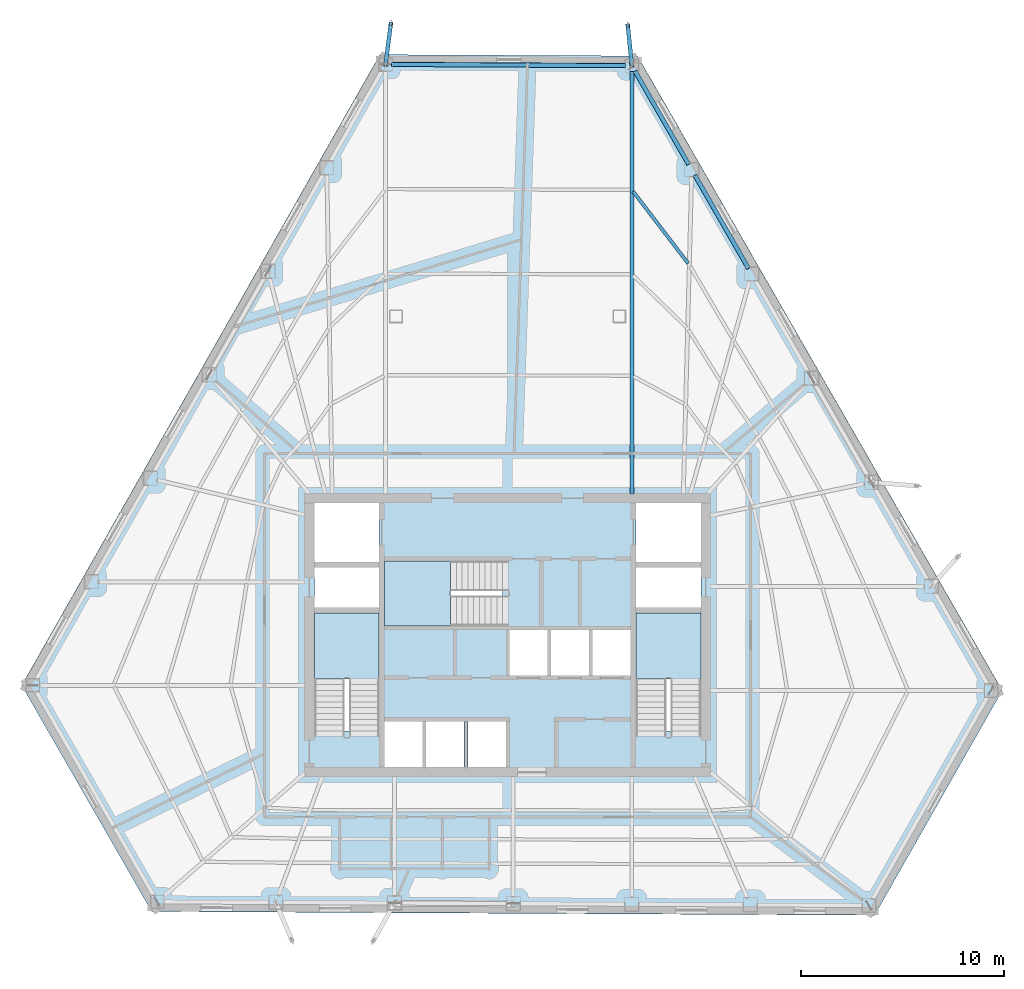
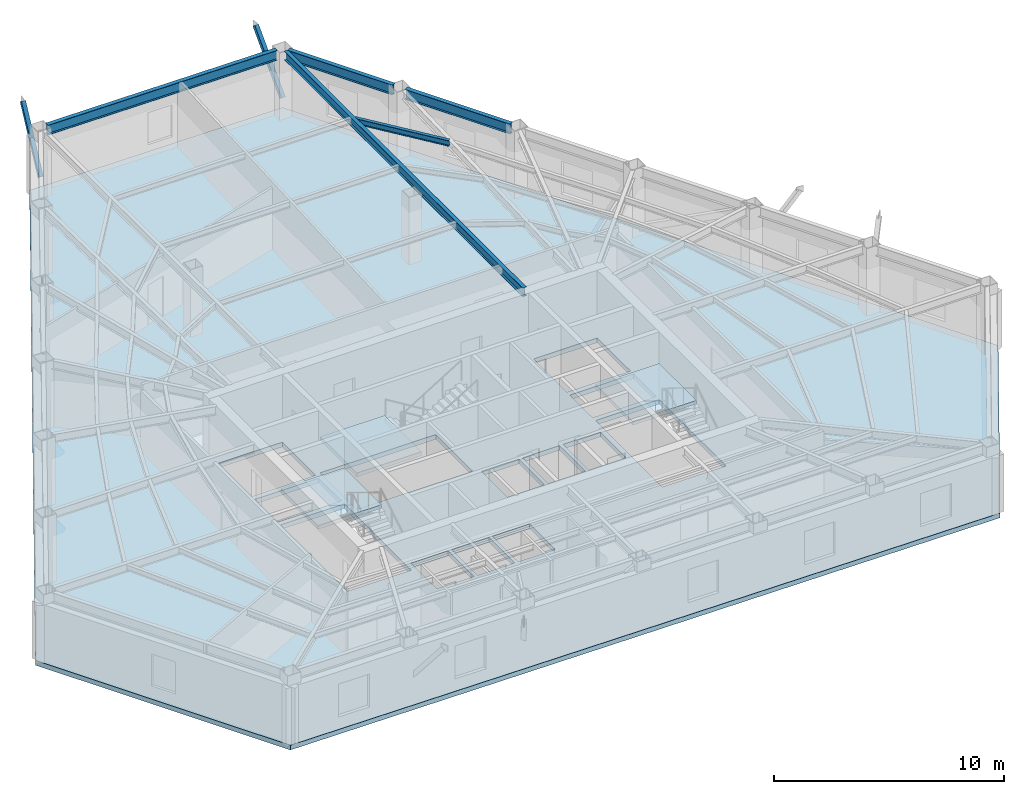
# One storey, part 3 of 13: 5 beams, 4 slabs, 2 members, 3 elements without a shape of their own.
"""IFC4 building model written with IfcOpenShell, lengths in metres."""

from ifc_helpers import new_model, si_unit, direction, frame, origin, origin_2d, place, context, subcontext, project, spatial, polyline, hollow_rectangle, i_section, outline, extrude, material, layer, layer_set, material_profile, profile_set, type_object, element, aggregate, save


model = new_model("IFC4")

# Units and contexts
model_context = context("Model", 3, precision=1e-05, world=origin(), true_north=direction((0.0, 1.0)))
body_context = subcontext(model_context, "Body", "Model", "MODEL_VIEW")
ifc_project = project(units=[si_unit("LENGTHUNIT", "METRE"), si_unit("AREAUNIT", "SQUARE_METRE"), si_unit("VOLUMEUNIT", "CUBIC_METRE"), si_unit("PLANEANGLEUNIT", "RADIAN"), si_unit("MASSUNIT", "GRAM", prefix="KILO")], contexts=[model_context])

# Site, building, storey
site_placement = place(None, origin())
site = spatial("IfcSite", under=ifc_project, at=site_placement, CompositionType="ELEMENT")
building_placement = place(site_placement, origin())
building = spatial("IfcBuilding", under=site, at=building_placement, Name="Kavelnor Concourse Tower", CompositionType="ELEMENT")
storey_placement = place(building_placement, frame((0.0, 0.0, 108.60009765625)))
storey = spatial("IfcBuildingStorey", under=building, at=storey_placement, Name="L27", CompositionType="ELEMENT", Elevation=108.60009765625)

# Beams
ifc_material_1 = material(Name="Steel Grade 350", Category="steel")
ifc_material_profile_1 = material_profile(ifc_material_1, i_section(OverallWidth=0.166015625, OverallDepth=0.306884765625, WebThickness=0.006591796875, FlangeThickness=0.01171875, at=origin_2d()), Name="310UB46")
ifc_profile_set_1 = profile_set([ifc_material_profile_1], Name="Steel Grade 350")
beam_type_1 = type_object("IfcBeamType", Name="BM-JOIST-310", PredefinedType="JOIST", material=ifc_profile_set_1)
beam_1_placement = place(storey_placement, frame((46.89501953125, 34.401123046875, 3.4462890625), z_axis=(-0.607764194886, 0.794117550124, 0.0), x_axis=(-0.794117550124, -0.607764194886, 0.0)))
element("IfcBeam", 1, at=beam_1_placement, inside=storey, type_object=beam_type_1, Name="L27 Secondary Composite Joist 14-3", PredefinedType="JOIST", context=body_context, shape_type="SweptSolid", body=[
    extrude(i_section(OverallWidth=0.166015625, OverallDepth=0.306884765625, WebThickness=0.006591796875, FlangeThickness=0.01171875, at=origin_2d()), origin(), (0.0, 0.0, 1.0), 4.471435546875),
])
ifc_material_profile_2 = material_profile(ifc_material_1, i_section(OverallWidth=0.18994140625, OverallDepth=0.4541015625, WebThickness=0.008544921875, FlangeThickness=0.0126953125, at=origin_2d()), Name="460UB67")
ifc_profile_set_2 = profile_set([ifc_material_profile_2], Name="Steel Grade 350")
beam_type_2 = type_object("IfcBeamType", Name="BM-PRIMARY-460", PredefinedType="BEAM", material=ifc_profile_set_2)
beam_2_placement = place(storey_placement, frame((44.123291015625, 23.06005859375, 3.372802734375), z_axis=(0.0, 1.0, 0.0), x_axis=(-1.0, 0.0, 0.0)))
element("IfcBeam", 2, at=beam_2_placement, inside=storey, type_object=beam_type_2, Name="L27 Primary Floor Girder F2-B6", PredefinedType="BEAM", context=body_context, shape_type="SweptSolid", body=[
    extrude(i_section(OverallWidth=0.18994140625, OverallDepth=0.4541015625, WebThickness=0.008544921875, FlangeThickness=0.0126953125, at=origin_2d()), origin(), (0.0, 0.0, 1.0), 20.781494140625),
])
ifc_material_profile_3 = material_profile(ifc_material_1, i_section(OverallWidth=0.208984375, OverallDepth=0.532958984375, WebThickness=0.01025390625, FlangeThickness=0.015625, at=origin_2d()), Name="530UB92")
ifc_profile_set_3 = profile_set([ifc_material_profile_3], Name="Steel Grade 350")
beam_type_3 = type_object("IfcBeamType", Name="BM-SPANDREL-Z2", PredefinedType="SPANDREL", material=ifc_profile_set_3)
beam_3_placement = place(storey_placement, frame((43.818359375, 44.14306640625, 3.33349609375), z_axis=(-0.99998652642, 0.005191047948, 0.0), x_axis=(-0.005191047948, -0.99998652642, 0.0)))
element("IfcBeam", 3, at=beam_3_placement, inside=storey, type_object=beam_type_3, Name="L27 Chamfer Facet Spandrel Beam C0", PredefinedType="SPANDREL", context=body_context, shape_type="SweptSolid", body=[
    extrude(i_section(OverallWidth=0.208984375, OverallDepth=0.532958984375, WebThickness=0.01025390625, FlangeThickness=0.015625, at=origin_2d()), origin(), (0.0, 0.0, 1.0), 11.522705078125),
])
for number, where, z_axis, x_axis, name in (
    (4, (49.8671875, 34.149658203125, 3.33349609375), (-0.498387254264, 0.866954522906, 0.0), (-0.866954522906, -0.498387254264, 0.0), "L27 Perimeter Tube Spandrel Beam F2-B4"),
    (5, (46.919189453125, 39.27783203125, 3.33349609375), (-0.498352664623, 0.866974406579, 0.0), (-0.866974406579, -0.498352664623, 0.0), "L27 Perimeter Tube Spandrel Beam F2-B5"),
):
    element("IfcBeam", number, at=place(storey_placement, frame(where, z_axis=z_axis, x_axis=x_axis)), inside=storey, type_object=beam_type_3, Name=name, PredefinedType="SPANDREL", context=body_context, shape_type="SweptSolid", body=[
        extrude(i_section(OverallWidth=0.208984375, OverallDepth=0.532958984375, WebThickness=0.01025390625, FlangeThickness=0.015625, at=origin_2d()), origin(), (0.0, 0.0, 1.0), 5.30517578125),
    ])

# Members
ifc_material_profile_4 = material_profile(ifc_material_1, hollow_rectangle(XDim=0.199951171875, YDim=0.199951171875, WallThickness=0.011962890625, at=origin_2d()), Name="SHS 200x200x12")
ifc_profile_set_4 = profile_set([ifc_material_profile_4], Name="Steel Grade 350")
member_type = type_object("IfcMemberType", Name="MBR-TERR-STRUT-200", PredefinedType="STRUT", material=ifc_profile_set_4)
member_1_placement = place(storey_placement, frame((44.123291015625, 44.1416015625, 0.89990234375), z_axis=(-0.060344642962, 0.586503787927, 0.807695382439), x_axis=(-0.994748609527, -0.102348443291, 0.0)))
element("IfcMember", 6, at=member_1_placement, inside=storey, type_object=member_type, Name="L27 Spiral Terrace Raking Knee Strut C0-A", PredefinedType="STRUT", context=body_context, shape_type="SweptSolid", body=[
    extrude(hollow_rectangle(XDim=0.199951171875, YDim=0.199951171875, WallThickness=0.011962890625, at=origin_2d()), origin(), (0.0, 0.0, 1.0), 3.38623046875),
])
member_2_placement = place(storey_placement, frame((31.99072265625, 44.204345703125, 0.89990234375), z_axis=(0.076755267385, 0.589127192606, 0.804386586077), x_axis=(-0.991619270263, 0.129194515529, 0.0)))
element("IfcMember", 7, at=member_2_placement, inside=storey, type_object=member_type, Name="L27 Spiral Terrace Raking Knee Strut C0-B", PredefinedType="STRUT", context=body_context, shape_type="SweptSolid", body=[
    extrude(hollow_rectangle(XDim=0.199951171875, YDim=0.199951171875, WallThickness=0.011962890625, at=origin_2d()), origin(), (0.0, 0.0, 1.0), 3.400146484375),
])

# Stair, slab
ifc_material_2 = material(Name="Concrete C40/50", Category="concrete")
stair_type = type_object("IfcStairType", Name="STR-CORE-1500", PredefinedType="HALF_TURN_STAIR", material=ifc_material_2)
stair_1_placement = place(storey_placement, origin())
stair_1 = element("IfcStair", 8, at=stair_1_placement, inside=storey, type_object=stair_type, Name="L27 ST1", PredefinedType="HALF_TURN_STAIR")
ifc_layer_1 = layer(ifc_material_2, 0.199951171875, Name="Concrete C40/50")
ifc_layer_set_1 = layer_set([ifc_layer_1], Name="Concrete C40/50")
slab_type_1 = type_object("IfcSlabType", Name="SLB-LANDING-200", PredefinedType="LANDING", material=ifc_layer_set_1)
slab_1_placement = place(storey_placement, frame((0.0, 0.0, 1.724853515625)))
slab_1 = element("IfcSlab", 9, at=slab_1_placement, type_object=slab_type_1, Name="ST1 landing 1", PredefinedType="LANDING", context=body_context, shape_type="SweptSolid", body=[
    extrude(outline(polyline([(31.679931640625, 13.949951171875), (31.679931640625, 17.199951171875), (28.47998046875, 17.199951171875), (28.47998046875, 13.949951171875), (31.679931640625, 13.949951171875)])), origin(), (0.0, 0.0, 1.0), 0.199951171875),
])
aggregate(stair_1, [slab_1])

stair_2_placement = place(storey_placement, origin())
stair_2 = element("IfcStair", 10, at=stair_2_placement, inside=storey, type_object=stair_type, Name="L27 ST2", PredefinedType="HALF_TURN_STAIR")
slab_2_placement = place(storey_placement, frame((0.0, 0.0, 1.724853515625)))
slab_2 = element("IfcSlab", 11, at=slab_2_placement, type_object=slab_type_1, Name="ST2 landing 1", PredefinedType="LANDING", context=body_context, shape_type="SweptSolid", body=[
    extrude(outline(polyline([(47.52001953125, 13.949951171875), (47.52001953125, 17.199951171875), (44.320068359375, 17.199951171875), (44.320068359375, 13.949951171875), (47.52001953125, 13.949951171875)])), origin(), (0.0, 0.0, 1.0), 0.199951171875),
])
aggregate(stair_2, [slab_2])

stair_3_placement = place(storey_placement, origin())
stair_3 = element("IfcStair", 12, at=stair_3_placement, inside=storey, type_object=stair_type, Name="L27 ST3", PredefinedType="HALF_TURN_STAIR")
slab_3_placement = place(storey_placement, frame((0.0, 0.0, 1.724853515625)))
slab_3 = element("IfcSlab", 13, at=slab_3_placement, type_object=slab_type_1, Name="ST3 landing 1", PredefinedType="LANDING", context=body_context, shape_type="SweptSolid", body=[
    extrude(outline(polyline([(35.18994140625, 19.760009765625), (31.93994140625, 19.760009765625), (31.93994140625, 16.56005859375), (35.18994140625, 16.56005859375), (35.18994140625, 19.760009765625)])), origin(), (0.0, 0.0, 1.0), 0.199951171875),
])
aggregate(stair_3, [slab_3])

# Slab
ifc_layer_2 = layer(ifc_material_2, 0.25, Name="Concrete C40/50")
ifc_layer_set_2 = layer_set([ifc_layer_2], Name="Concrete C40/50")
slab_type_2 = type_object("IfcSlabType", Name="SLB-OFFICE-250", PredefinedType="FLOOR", material=ifc_layer_set_2)
slab_4_placement = place(storey_placement, frame((0.0, 0.0, -0.25)))
element("IfcSlab", 14, at=slab_4_placement, inside=storey, type_object=slab_type_2, Name="L27 Composite Structural Floor Slab", PredefinedType="FLOOR", context=body_context, shape_type="SweptSolid", body=[
    extrude(outline(polyline([(44.40185546875, 44.6201171875), (31.712158203125, 44.685791015625), (14.07080078125, 13.625), (20.47265625, 2.48828125), (56.07568359375, 2.303466796875), (62.363525390625, 13.374267578125), (44.40185546875, 44.6201171875)]), holes=[polyline([(28.47998046875, 11.3798828125), (31.679931640625, 11.3798828125), (31.679931640625, 17.199951171875), (28.47998046875, 17.199951171875), (28.47998046875, 11.3798828125)]), polyline([(44.320068359375, 11.3798828125), (47.52001953125, 11.3798828125), (47.52001953125, 17.199951171875), (44.320068359375, 17.199951171875), (44.320068359375, 11.3798828125)]), polyline([(31.93994140625, 16.56005859375), (37.760009765625, 16.56005859375), (37.760009765625, 19.760009765625), (31.93994140625, 19.760009765625), (31.93994140625, 16.56005859375)]), polyline([(28.47998046875, 19.699951171875), (31.679931640625, 19.699951171875), (31.679931640625, 22.60009765625), (28.47998046875, 22.60009765625), (28.47998046875, 19.699951171875)]), polyline([(44.320068359375, 19.699951171875), (47.52001953125, 19.699951171875), (47.52001953125, 22.60009765625), (44.320068359375, 22.60009765625), (44.320068359375, 19.699951171875)]), polyline([(38.090087890625, 14.10009765625), (39.9599609375, 14.10009765625), (39.9599609375, 16.340087890625), (38.090087890625, 16.340087890625), (38.090087890625, 14.10009765625)]), polyline([(40.139892578125, 14.10009765625), (42.010009765625, 14.10009765625), (42.010009765625, 16.340087890625), (40.139892578125, 16.340087890625), (40.139892578125, 14.10009765625)]), polyline([(42.18994140625, 14.10009765625), (44.06005859375, 14.10009765625), (44.06005859375, 16.340087890625), (42.18994140625, 16.340087890625), (42.18994140625, 14.10009765625)]), polyline([(31.93994140625, 9.60009765625), (33.81005859375, 9.60009765625), (33.81005859375, 11.840087890625), (31.93994140625, 11.840087890625), (31.93994140625, 9.60009765625)]), polyline([(33.989990234375, 9.60009765625), (35.860107421875, 9.60009765625), (35.860107421875, 11.840087890625), (33.989990234375, 11.840087890625), (33.989990234375, 9.60009765625)]), polyline([(36.0400390625, 9.60009765625), (37.909912109375, 9.60009765625), (37.909912109375, 11.840087890625), (36.0400390625, 11.840087890625), (36.0400390625, 9.60009765625)]), polyline([(28.47998046875, 17.4599609375), (31.679931640625, 17.4599609375), (31.679931640625, 19.43994140625), (28.47998046875, 19.43994140625), (28.47998046875, 17.4599609375)]), polyline([(44.320068359375, 17.4599609375), (47.52001953125, 17.4599609375), (47.52001953125, 19.43994140625), (44.320068359375, 19.43994140625), (44.320068359375, 17.4599609375)])]), origin(), (0.0, 0.0, 1.0), 0.25),
])

save(model, "model.ifc")
